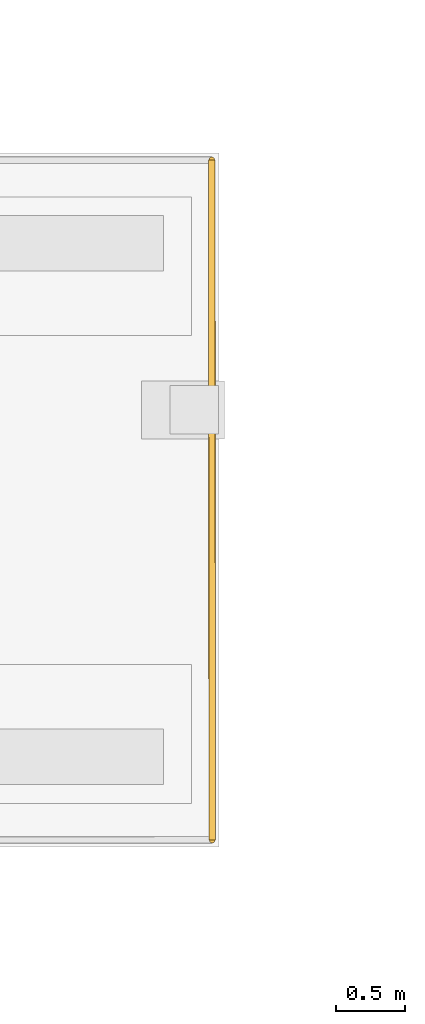
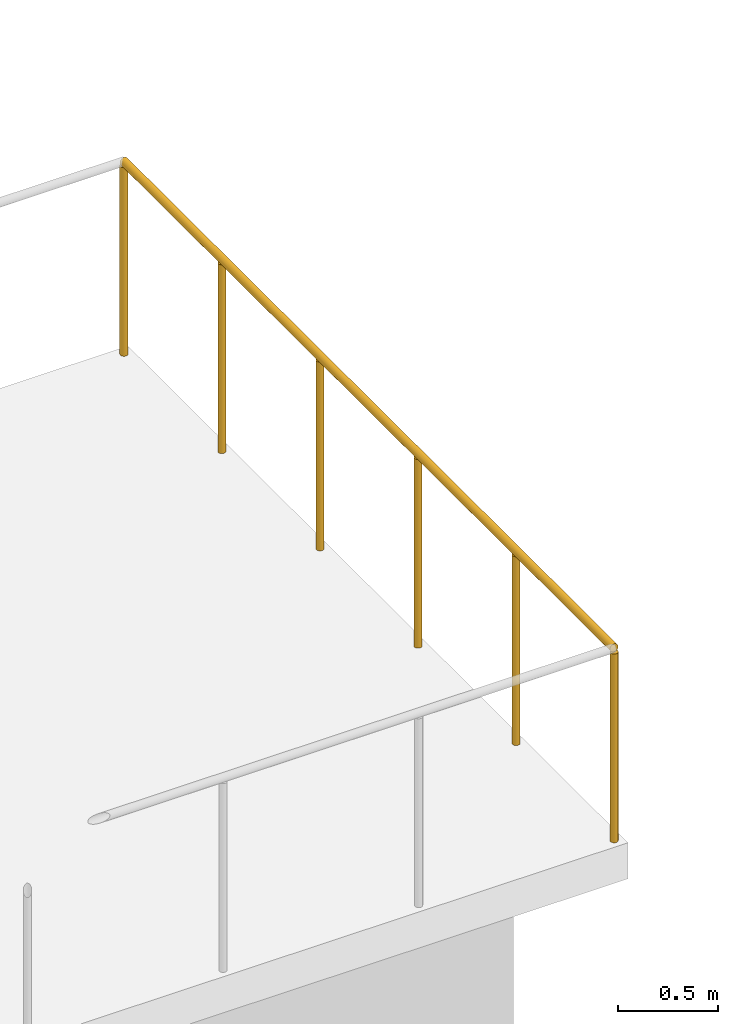
# One storey, part 98 of 98: 1 railing.
"""IFC4 building model written with IfcOpenShell, lengths in metres."""

from ifc_helpers import new_model, si_unit, direction, frame, origin, origin_2d, place, context, subcontext, project, spatial, circle, extrude, material, type_object, element, save


model = new_model("IFC4")

# Units and contexts
model_context = context("Model", 3, precision=1e-05, world=origin(), true_north=direction((0.0, 1.0)))
body_context = subcontext(model_context, "Body", "Model", "MODEL_VIEW")
ifc_project = project(units=[si_unit("LENGTHUNIT", "METRE"), si_unit("AREAUNIT", "SQUARE_METRE"), si_unit("VOLUMEUNIT", "CUBIC_METRE"), si_unit("PLANEANGLEUNIT", "RADIAN"), si_unit("MASSUNIT", "GRAM", prefix="KILO")], contexts=[model_context])

# Site, building, storey
site_placement = place(None, origin())
site = spatial("IfcSite", under=ifc_project, at=site_placement, CompositionType="ELEMENT")
building_placement = place(site_placement, origin())
building = spatial("IfcBuilding", under=site, at=building_placement, Name="Canglan Escarpment Cableway Terminal", CompositionType="ELEMENT")
storey_placement = place(building_placement, frame((0.0, 0.0, 9.60009765625)))
storey = spatial("IfcBuildingStorey", under=building, at=storey_placement, Name="L02", CompositionType="ELEMENT", Elevation=9.60009765625)

# Railing
ifc_material = material(Name="Carved limestone and anodized bronze balustrade", Category="masonry")
railing_type = type_object("IfcRailingType", Name="RL-EXT-BALUSTRADE-1200", PredefinedType="BALUSTRADE", material=ifc_material)
railing_placement = place(storey_placement, frame((147.14794921875, 49.949951171875, 0.0)))
element("IfcRailing", 1, at=railing_placement, inside=storey, type_object=railing_type, Name="Classical terrace balustrade guard GD-01 (L02)", PredefinedType="BALUSTRADE", context=body_context, shape_type="SweptSolid", body=[
    extrude(circle(Radius=0.02392578125, at=origin_2d()), frame((0.0, 0.0, 1.17578125), z_axis=(0.0003987638, -0.999999920494, 0.0), x_axis=(0.999999920494, 0.0003987638, 0.0)), (0.0, 0.0, 1.0), 4.89794921875),
    extrude(circle(Radius=0.02099609375, at=origin_2d()), origin(), (0.0, 0.0, 1.0), 1.15185546875),
    extrude(circle(Radius=0.02099609375, at=origin_2d()), frame((0.00048828125, -0.9794921875, 0.0)), (0.0, 0.0, 1.0), 1.15185546875),
    extrude(circle(Radius=0.02099609375, at=origin_2d()), frame((0.000732421875, -1.959228515625, 0.0)), (0.0, 0.0, 1.0), 1.15185546875),
    extrude(circle(Radius=0.02099609375, at=origin_2d()), frame((0.001220703125, -2.938720703125, 0.0)), (0.0, 0.0, 1.0), 1.15185546875),
    extrude(circle(Radius=0.02099609375, at=origin_2d()), frame((0.00146484375, -3.91845703125, 0.0)), (0.0, 0.0, 1.0), 1.15185546875),
    extrude(circle(Radius=0.02099609375, at=origin_2d()), frame((0.001953125, -4.89794921875, 0.0)), (0.0, 0.0, 1.0), 1.15185546875),
])

save(model, "model.ifc")
